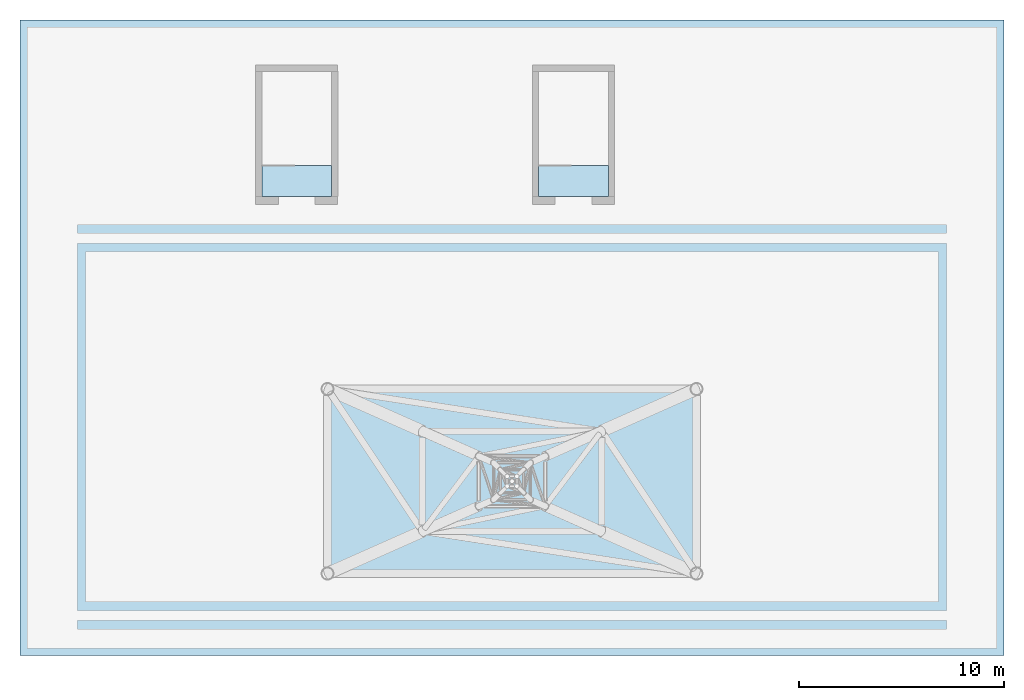
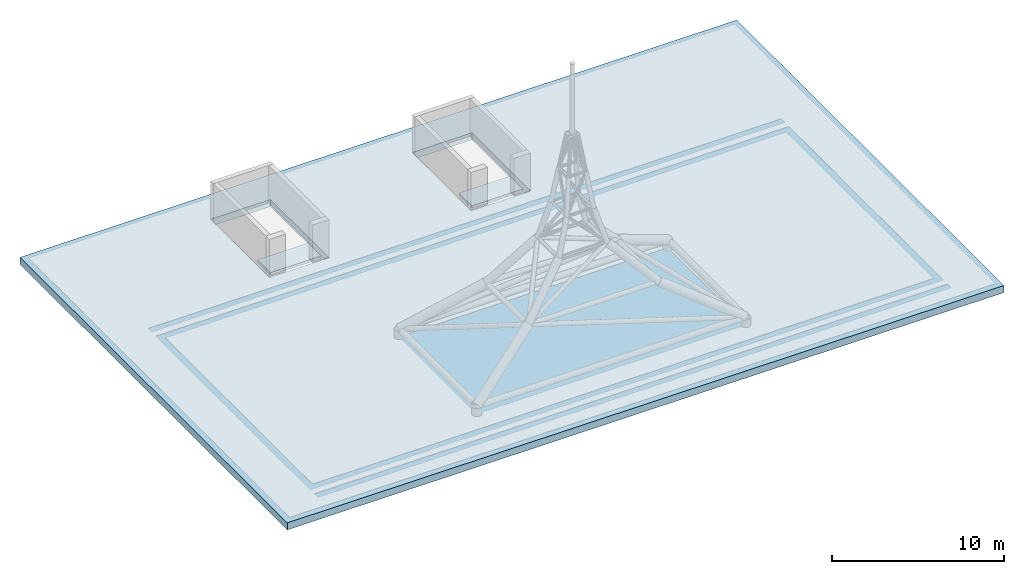
# One storey, part 2 of 4: 3 slabs.
"""IFC4 building model written with IfcOpenShell, lengths in metres."""

from ifc_helpers import new_model, si_unit, direction, frame, origin, place, context, subcontext, project, spatial, polyline, outline, extrude, material, layer, layer_set, type_object, element, save


model = new_model("IFC4")

# Units and contexts
model_context = context("Model", 3, precision=1e-05, world=origin(), true_north=direction((0.0, 1.0)))
body_context = subcontext(model_context, "Body", "Model", "MODEL_VIEW")
ifc_project = project(units=[si_unit("LENGTHUNIT", "METRE"), si_unit("AREAUNIT", "SQUARE_METRE"), si_unit("VOLUMEUNIT", "CUBIC_METRE"), si_unit("PLANEANGLEUNIT", "RADIAN"), si_unit("MASSUNIT", "GRAM", prefix="KILO")], contexts=[model_context])

# Site, building, storey
site_placement = place(None, origin())
site = spatial("IfcSite", under=ifc_project, at=site_placement, CompositionType="ELEMENT")
building_placement = place(site_placement, origin())
building = spatial("IfcBuilding", under=site, at=building_placement, Name="Calvaro Tower", CompositionType="ELEMENT")
storey_placement = place(building_placement, frame((0.0, 0.0, 277.949951171875)))
storey = spatial("IfcBuildingStorey", under=building, at=storey_placement, Name="ROOF", CompositionType="ELEMENT", Elevation=277.949951171875)

# Slabs
ifc_material_1 = material(Name="Concrete C40/50", Category="concrete")
ifc_layer_1 = layer(ifc_material_1, 0.5)
ifc_layer_set_1 = layer_set([ifc_layer_1], Name="Concrete C40/50")
slab_type_1 = type_object("IfcSlabType", Name="Drum cap slab 500 C40/50", PredefinedType="ROOF", material=ifc_layer_set_1)
slab_1_placement = place(storey_placement, frame((0.0, 0.0, -0.5)))
element("IfcSlab", 1, at=slab_1_placement, inside=storey, type_object=slab_type_1, Name="Drum cap slab", PredefinedType="ROOF", context=body_context, shape_type="SweptSolid", body=[
    extrude(outline(polyline([(12.0, 6.0), (60.0, 6.0), (60.0, 37.0), (12.0, 37.0), (12.0, 6.0)]), holes=[polyline([(23.5, 28.0), (27.5, 28.0), (27.5, 34.800048828125), (23.5, 34.800048828125), (23.5, 28.0)]), polyline([(37.0, 28.0), (41.0, 28.0), (41.0, 34.800048828125), (37.0, 34.800048828125), (37.0, 28.0)])]), origin(), (0.0, 0.0, 1.0), 0.5),
])
ifc_material_2 = material(Name="Concrete C40/50", Category="concrete")
ifc_layer_2 = layer(ifc_material_2, 0.199951171875)
ifc_layer_set_2 = layer_set([ifc_layer_2], Name="Concrete C40/50")
slab_type_2 = type_object("IfcSlabType", Name="Stair landing", PredefinedType="LANDING", material=ifc_layer_set_2)
slab_2_placement = place(storey_placement, frame((0.0, 0.0, -0.199951171875)))
element("IfcSlab", 2, at=slab_2_placement, inside=storey, type_object=slab_type_2, Name="Stair head landing", PredefinedType="LANDING", context=body_context, shape_type="SweptSolid", body=[
    extrude(outline(polyline([(23.800048828125, 28.39990234375), (27.199951171875, 28.39990234375), (27.199951171875, 29.909912109375), (23.800048828125, 29.909912109375), (23.800048828125, 28.39990234375)])), origin(), (0.0, 0.0, 1.0), 0.199951171875),
])
slab_3_placement = place(storey_placement, frame((0.0, 0.0, -0.199951171875)))
element("IfcSlab", 3, at=slab_3_placement, inside=storey, type_object=slab_type_2, Name="Stair head landing", PredefinedType="LANDING", context=body_context, shape_type="SweptSolid", body=[
    extrude(outline(polyline([(37.300048828125, 28.39990234375), (40.699951171875, 28.39990234375), (40.699951171875, 29.909912109375), (37.300048828125, 29.909912109375), (37.300048828125, 28.39990234375)])), origin(), (0.0, 0.0, 1.0), 0.199951171875),
])

save(model, "model.ifc")
